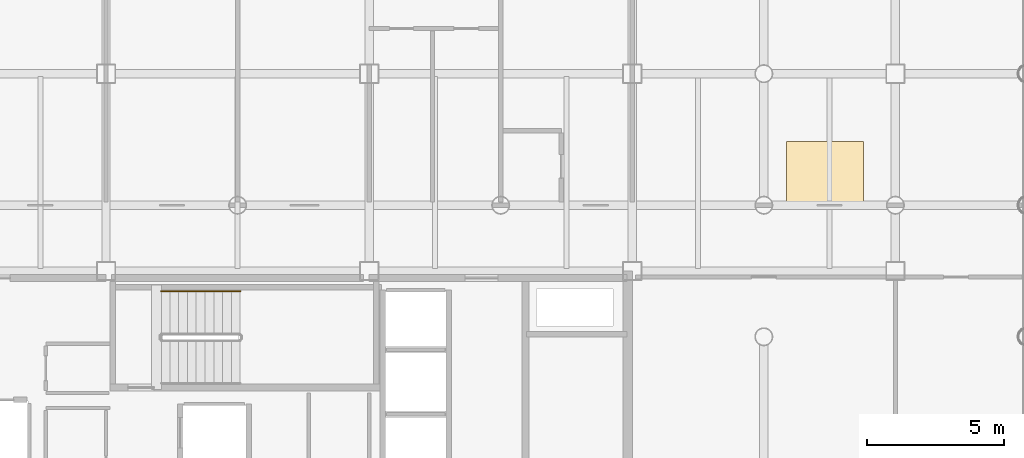
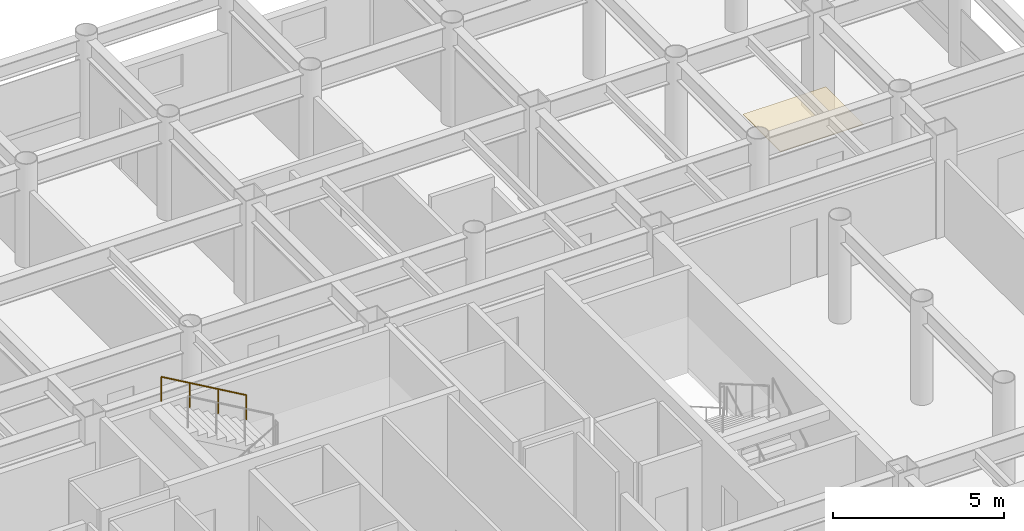
# One storey, part 21 of 21: 1 covering, 1 railing.
"""IFC4 building model written with IfcOpenShell, lengths in metres."""

from ifc_helpers import new_model, si_unit, direction, frame, origin, origin_2d, place, context, subcontext, project, spatial, rectangle, circle, extrude, material, layer, layer_set, type_object, element, save


model = new_model("IFC4")

# Units and contexts
model_context = context("Model", 3, precision=1e-05, world=origin(), true_north=direction((0.0, 1.0)))
body_context = subcontext(model_context, "Body", "Model", "MODEL_VIEW")
ifc_project = project(units=[si_unit("LENGTHUNIT", "METRE"), si_unit("AREAUNIT", "SQUARE_METRE"), si_unit("VOLUMEUNIT", "CUBIC_METRE"), si_unit("PLANEANGLEUNIT", "RADIAN"), si_unit("MASSUNIT", "GRAM", prefix="KILO")], contexts=[model_context])

# Site, building, storey
site_placement = place(None, origin())
site = spatial("IfcSite", under=ifc_project, at=site_placement, CompositionType="ELEMENT")
building_placement = place(site_placement, origin())
building = spatial("IfcBuilding", under=site, at=building_placement, Name="Kallvorn Hotel Tower", CompositionType="ELEMENT")
storey_placement = place(building_placement, frame((0.0, 0.0, 139.60009765625)))
storey = spatial("IfcBuildingStorey", under=building, at=storey_placement, Name="L34", CompositionType="ELEMENT", Elevation=139.60009765625)

# Covering
ifc_material_1 = material(Name="Mineral-fibre suspended acoustic ceiling tile")
ifc_layer_1 = layer(ifc_material_1, 0.030029296875)
ifc_layer_set_1 = layer_set([ifc_layer_1], Name="COV_CEILING_ACT")
covering_type = type_object("IfcCoveringType", Name="COV_CEILING_ACT", PredefinedType="CEILING", material=ifc_layer_set_1)
covering_placement = place(storey_placement, frame((21.43505859375, 10.820068359375, 2.634765625), z_axis=(0.0, 0.0, 1.0), x_axis=(1.0, 0.0, 0.0)))
element("IfcCovering", 1, at=covering_placement, inside=storey, type_object=covering_type, Name="L34 Suspended Acoustic Ceiling 01", PredefinedType="CEILING", context=body_context, shape_type="SweptSolid", body=[
    extrude(rectangle(XDim=2.800048828125, YDim=2.199951171875, at=origin_2d()), origin(), (0.0, 0.0, 1.0), 0.030029296875),
])

# Railing
ifc_material_2 = material(Name="Brushed stainless-steel tubular railing", Category="steel")
ifc_layer_2 = layer(ifc_material_2, 0.050048828125)
ifc_layer_set_2 = layer_set([ifc_layer_2], Name="RL_STAIR_HAND")
railing_type = type_object("IfcRailingType", Name="RL_STAIR_HAND", PredefinedType="HANDRAIL", material=ifc_layer_set_2)
railing_placement = place(storey_placement, frame((0.090087890625, 6.4599609375, 2.034912109375)))
element("IfcRailing", 2, at=railing_placement, inside=storey, type_object=railing_type, Name="L34 ST3 stair handrail 2", PredefinedType="HANDRAIL", context=body_context, shape_type="SweptSolid", body=[
    extrude(circle(Radius=0.02392578125, at=origin_2d()), frame((0.0, 0.0, 0.8759765625), z_axis=(-0.865739302748, 0.0, 0.50049521444), x_axis=(0.0, -1.0, 0.0)), (0.0, 0.0, 1.0), 3.326904296875),
    extrude(circle(Radius=0.02099609375, at=origin_2d()), origin(), (0.0, 0.0, 1.0), 0.851806640625),
    extrude(circle(Radius=0.02099609375, at=origin_2d()), frame((-0.9599609375, 0.0, 0.554931640625)), (0.0, 0.0, 1.0), 0.851806640625),
    extrude(circle(Radius=0.02099609375, at=origin_2d()), frame((-1.920166015625, 0.0, 1.110107421875)), (0.0, 0.0, 1.0), 0.851806640625),
    extrude(circle(Radius=0.02099609375, at=origin_2d()), frame((-2.880126953125, 0.0, 1.6650390625)), (0.0, 0.0, 1.0), 0.851806640625),
])

save(model, "model.ifc")
